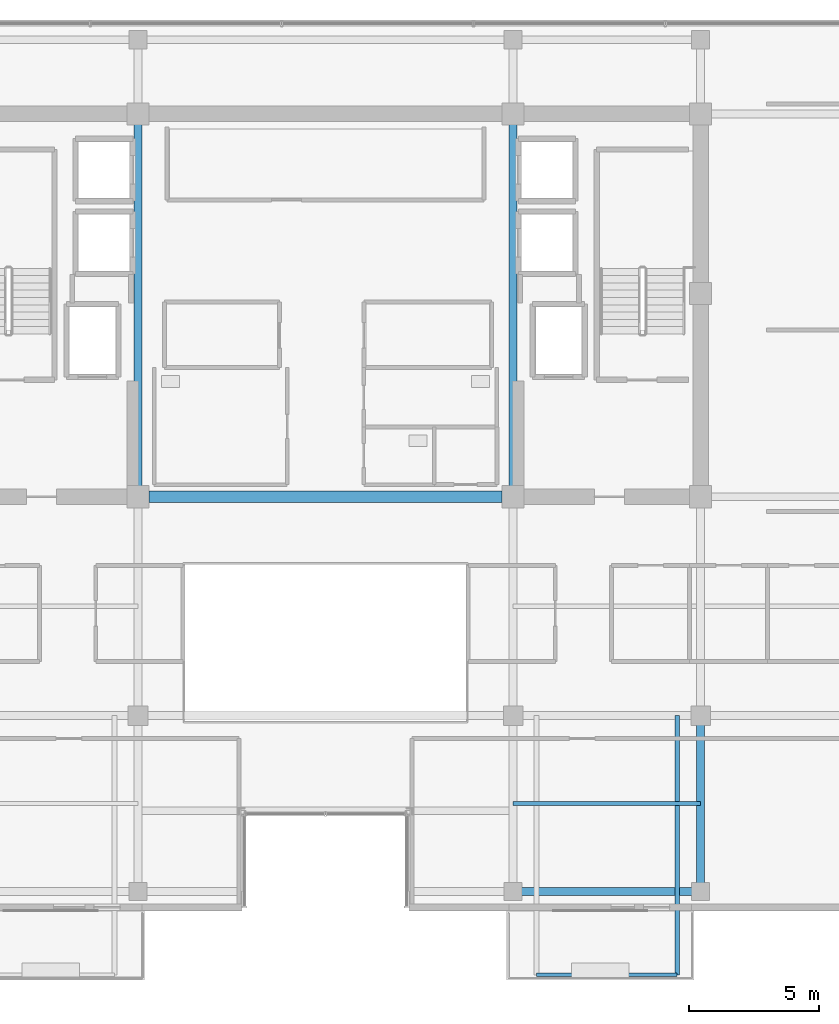
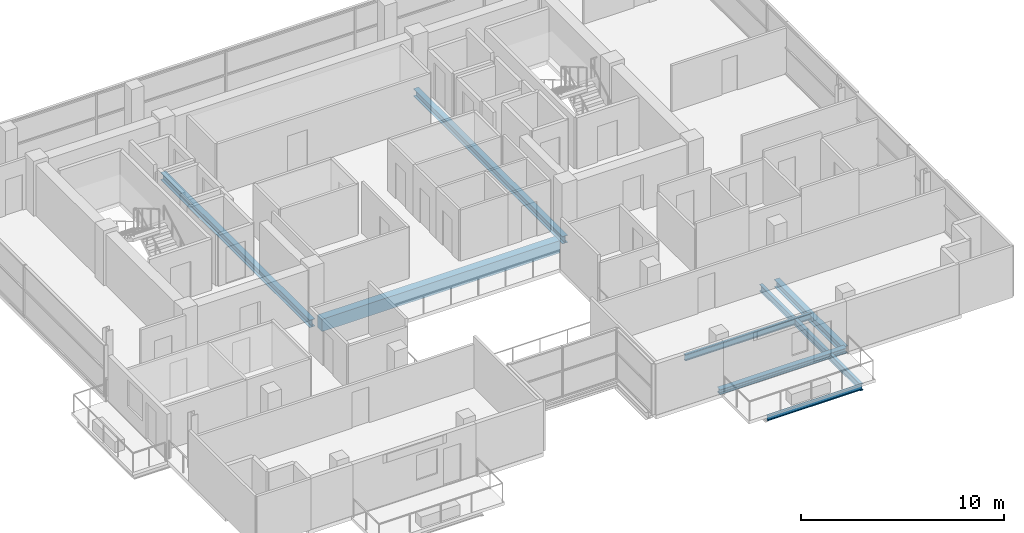
# One storey, part 6 of 21: 8 beams.
"""IFC4 building model written with IfcOpenShell, lengths in metres."""

from ifc_helpers import new_model, si_unit, direction, frame, origin, origin_2d, place, context, subcontext, project, spatial, rectangle, i_section, extrude, material, material_profile, profile_set, type_object, element, save


model = new_model("IFC4")

# Units and contexts
model_context = context("Model", 3, precision=1e-05, world=origin(), true_north=direction((0.0, 1.0)))
body_context = subcontext(model_context, "Body", "Model", "MODEL_VIEW")
ifc_project = project(units=[si_unit("LENGTHUNIT", "METRE"), si_unit("AREAUNIT", "SQUARE_METRE"), si_unit("VOLUMEUNIT", "CUBIC_METRE"), si_unit("PLANEANGLEUNIT", "RADIAN"), si_unit("MASSUNIT", "GRAM", prefix="KILO")], contexts=[model_context])

# Site, building, storey
site_placement = place(None, origin())
site = spatial("IfcSite", under=ifc_project, at=site_placement, CompositionType="ELEMENT")
building_placement = place(site_placement, origin())
building = spatial("IfcBuilding", under=site, at=building_placement, Name="Zarnakvel Exchange Tower", CompositionType="ELEMENT")
storey_placement = place(building_placement, frame((0.0, 0.0, 255.10009765625)))
storey = spatial("IfcBuildingStorey", under=building, at=storey_placement, Name="L72", CompositionType="ELEMENT", Elevation=255.10009765625)

# Beams
ifc_material_1 = material(Name="Steel S355", Category="steel")
ifc_material_profile_1 = material_profile(ifc_material_1, i_section(OverallWidth=0.179931640625, OverallDepth=0.39990234375, WebThickness=0.008544921875, FlangeThickness=0.013427734375, FilletRadius=0.02099609375, at=origin_2d()))
ifc_profile_set_1 = profile_set([ifc_material_profile_1], Name="Steel S355")
beam_type_1 = type_object("IfcBeamType", Name="B-06", PredefinedType="JOIST", material=ifc_profile_set_1)
beam_1_placement = place(storey_placement, frame((13.5, -9.60009765625, -0.425048828125), z_axis=(0.0, -1.0, 0.0), x_axis=(1.0, 0.0, 0.0)))
element("IfcBeam", 1, at=beam_1_placement, inside=storey, type_object=beam_type_1, Name="L72 Continuous Back-Spanned Balcony Beam E", PredefinedType="JOIST", context=body_context, shape_type="SweptSolid", body=[
    extrude(i_section(OverallWidth=0.179931640625, OverallDepth=0.39990234375, WebThickness=0.008544921875, FlangeThickness=0.013427734375, FilletRadius=0.02099609375, at=origin_2d()), origin(), (0.0, 0.0, 1.0), 9.949951171875),
])
ifc_material_profile_2 = material_profile(ifc_material_1, i_section(OverallWidth=0.169921875, OverallDepth=0.360107421875, WebThickness=0.008056640625, FlangeThickness=0.0126953125, FilletRadius=0.01806640625, at=origin_2d()))
ifc_profile_set_2 = profile_set([ifc_material_profile_2], Name="Steel S355")
beam_type_2 = type_object("IfcBeamType", Name="B-07", PredefinedType="JOIST", material=ifc_profile_set_2)
beam_2_placement = place(storey_placement, frame((7.199951171875, -12.97509765625, -0.405029296875), z_axis=(1.0, 0.0, 0.0), x_axis=(0.0, 1.0, 0.0)))
element("IfcBeam", 2, at=beam_2_placement, inside=storey, type_object=beam_type_2, Name="L72 Composite Floor Secondary Joist", PredefinedType="JOIST", context=body_context, shape_type="SweptSolid", body=[
    extrude(i_section(OverallWidth=0.169921875, OverallDepth=0.360107421875, WebThickness=0.008056640625, FlangeThickness=0.0126953125, FilletRadius=0.01806640625, at=origin_2d()), origin(), (0.0, 0.0, 1.0), 7.199951171875),
])
ifc_material_profile_3 = material_profile(ifc_material_1, i_section(OverallWidth=0.14990234375, OverallDepth=0.300048828125, WebThickness=0.007080078125, FlangeThickness=0.0107421875, FilletRadius=0.014892578125, at=origin_2d()))
ifc_profile_set_3 = profile_set([ifc_material_profile_3], Name="Steel S355")
beam_type_3 = type_object("IfcBeamType", Name="B-08", PredefinedType="JOIST", material=ifc_profile_set_3)
beam_3_placement = place(storey_placement, frame((8.10009765625, -19.550048828125, -0.375), z_axis=(1.0, 0.0, 0.0), x_axis=(0.0, 1.0, 0.0)))
element("IfcBeam", 3, at=beam_3_placement, inside=storey, type_object=beam_type_3, Name="L72 Balcony Edge Beam", PredefinedType="JOIST", context=body_context, shape_type="SweptSolid", body=[
    extrude(i_section(OverallWidth=0.14990234375, OverallDepth=0.300048828125, WebThickness=0.007080078125, FlangeThickness=0.0107421875, FilletRadius=0.014892578125, at=origin_2d()), origin(), (0.0, 0.0, 1.0), 5.39990234375),
])
ifc_material_2 = material(Name="Concrete C50/60", Category="concrete")
ifc_material_profile_4 = material_profile(ifc_material_2, rectangle(XDim=0.449951171875, YDim=0.75, at=origin_2d()))
ifc_profile_set_4 = profile_set([ifc_material_profile_4], Name="Concrete C50/60")
beam_type_4 = type_object("IfcBeamType", Name="CB-03", PredefinedType="LINTEL", material=ifc_profile_set_4)
beam_4_placement = place(storey_placement, frame((-6.77490234375, -1.199951171875, -0.60009765625), z_axis=(1.0, 0.0, 0.0), x_axis=(0.0, 1.0, 0.0)))
element("IfcBeam", 4, at=beam_4_placement, inside=storey, type_object=beam_type_4, Name="L72 Rear Core South Coupling Beam (CB-03)", PredefinedType="LINTEL", context=body_context, shape_type="SweptSolid", body=[
    extrude(rectangle(XDim=0.449951171875, YDim=0.75, at=origin_2d()), origin(), (0.0, 0.0, 1.0), 13.5498046875),
])
ifc_material_profile_5 = material_profile(ifc_material_1, i_section(OverallWidth=0.300048828125, OverallDepth=0.449951171875, WebThickness=0.013916015625, FlangeThickness=0.02587890625, FilletRadius=0.027099609375, at=origin_2d()))
ifc_profile_set_5 = profile_set([ifc_material_profile_5], Name="Steel S355")
beam_type_5 = type_object("IfcBeamType", Name="G-07", PredefinedType="BEAM", material=ifc_profile_set_5)
for number, where, z_axis, x_axis, name in (
    (5, (-7.199951171875, -1.199951171875, -0.4501953125), (0.0, 1.0, 0.0), (-1.0, 0.0, 0.0), "L72 Tower N-S Frame Beam"),
    (6, (7.199951171875, -1.199951171875, -0.4501953125), (0.0, 1.0, 0.0), (-1.0, 0.0, 0.0), "L72 Tower N-S Frame Beam"),
):
    element("IfcBeam", number, at=place(storey_placement, frame(where, z_axis=z_axis, x_axis=x_axis)), inside=storey, type_object=beam_type_5, Name=name, PredefinedType="BEAM", context=body_context, shape_type="SweptSolid", body=[
        extrude(i_section(OverallWidth=0.300048828125, OverallDepth=0.449951171875, WebThickness=0.013916015625, FlangeThickness=0.02587890625, FilletRadius=0.027099609375, at=origin_2d()), origin(), (0.0, 0.0, 1.0), 14.699951171875),
    ])
beam_5_placement = place(storey_placement, frame((14.39990234375, -16.35009765625, -0.4501953125), z_axis=(0.0, 1.0, 0.0), x_axis=(-1.0, 0.0, 0.0)))
element("IfcBeam", 7, at=beam_5_placement, inside=storey, type_object=beam_type_5, Name="L72 Tower N-S Frame Beam", PredefinedType="BEAM", context=body_context, shape_type="SweptSolid", body=[
    extrude(i_section(OverallWidth=0.300048828125, OverallDepth=0.449951171875, WebThickness=0.013916015625, FlangeThickness=0.02587890625, FilletRadius=0.027099609375, at=origin_2d()), origin(), (0.0, 0.0, 1.0), 6.75),
])
ifc_material_profile_6 = material_profile(ifc_material_1, i_section(OverallWidth=0.300048828125, OverallDepth=0.300048828125, WebThickness=0.010986328125, FlangeThickness=0.01904296875, FilletRadius=0.027099609375, at=origin_2d()))
ifc_profile_set_6 = profile_set([ifc_material_profile_6], Name="Steel S355")
beam_type_6 = type_object("IfcBeamType", Name="SP-03", PredefinedType="SPANDREL", material=ifc_profile_set_6)
beam_6_placement = place(storey_placement, frame((7.199951171875, -16.35009765625, -0.375), z_axis=(1.0, 0.0, 0.0), x_axis=(0.0, 1.0, 0.0)))
element("IfcBeam", 8, at=beam_6_placement, inside=storey, type_object=beam_type_6, Name="L72 Tower E-W Frame Beam", PredefinedType="SPANDREL", context=body_context, shape_type="SweptSolid", body=[
    extrude(i_section(OverallWidth=0.300048828125, OverallDepth=0.300048828125, WebThickness=0.010986328125, FlangeThickness=0.01904296875, FilletRadius=0.027099609375, at=origin_2d()), origin(), (0.0, 0.0, 1.0), 7.199951171875),
])

save(model, "model.ifc")
